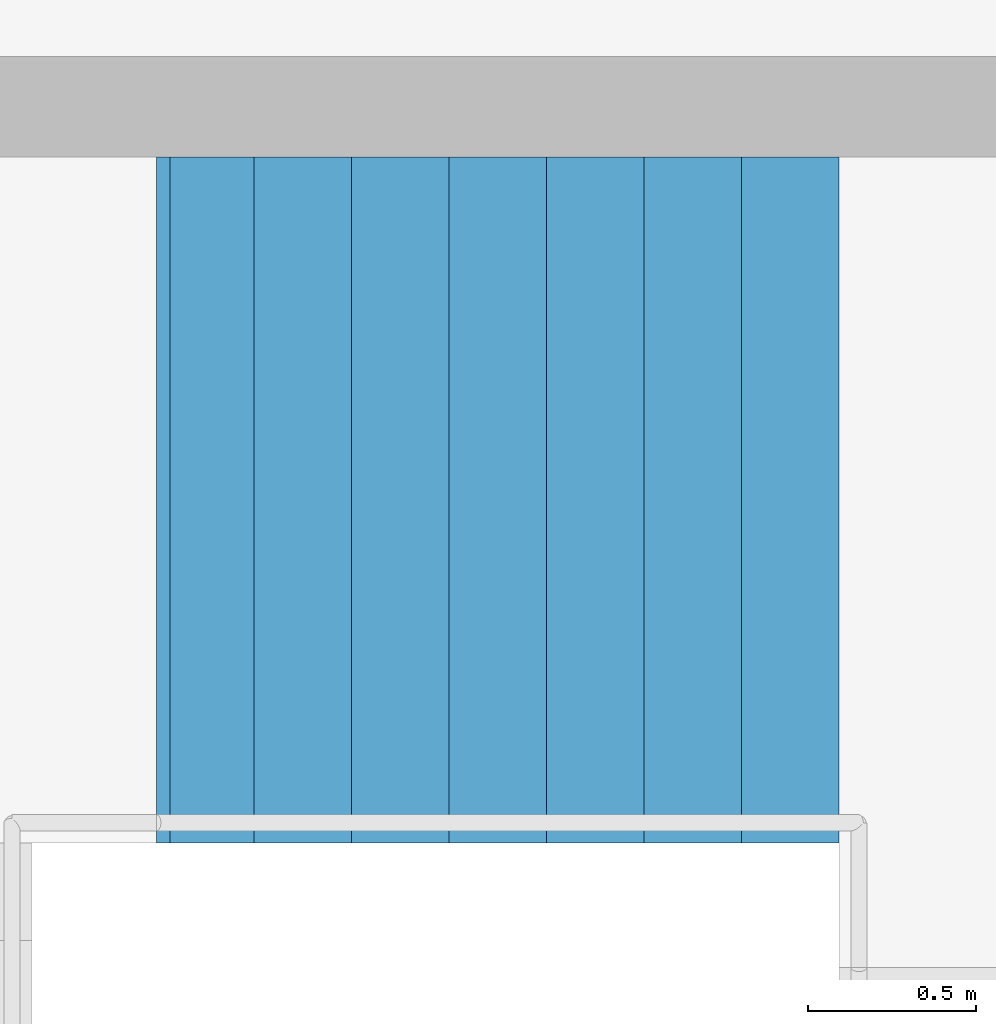
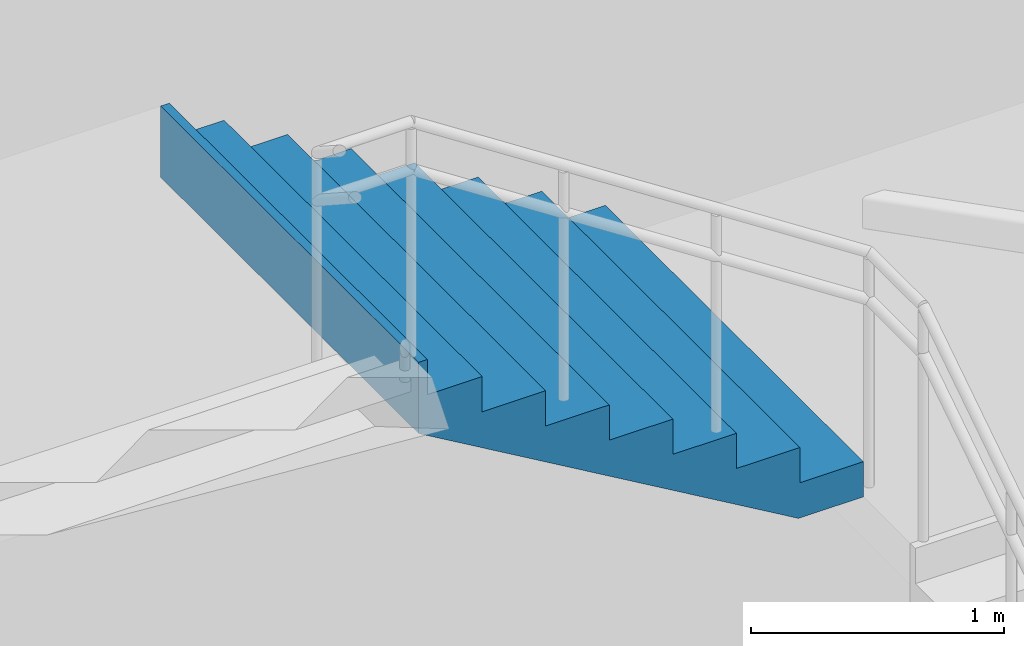
# One storey, part 69 of 74: 1 stair flight, 1 element without a shape of its own.
"""IFC4 building model written with IfcOpenShell, lengths in metres."""

from ifc_helpers import new_model, si_unit, direction, frame, origin, place, context, subcontext, project, spatial, triangles, material, type_object, element, aggregate, save


model = new_model("IFC4")

# Units and contexts
model_context = context("Model", 3, precision=1e-05, world=origin(), true_north=direction((0.0, 1.0)))
body_context = subcontext(model_context, "Body", "Model", "MODEL_VIEW")
ifc_project = project(units=[si_unit("LENGTHUNIT", "METRE"), si_unit("AREAUNIT", "SQUARE_METRE"), si_unit("VOLUMEUNIT", "CUBIC_METRE"), si_unit("PLANEANGLEUNIT", "RADIAN"), si_unit("MASSUNIT", "GRAM", prefix="KILO")], contexts=[model_context])

# Site, building, storey
site_placement = place(None, origin())
site = spatial("IfcSite", under=ifc_project, at=site_placement, CompositionType="ELEMENT")
building_placement = place(site_placement, origin())
building = spatial("IfcBuilding", under=site, at=building_placement, Name="Sillaruma Civic Art Gallery", CompositionType="ELEMENT")
storey_placement = place(building_placement, frame((0.0, 0.0, 5.43994140625)))
storey = spatial("IfcBuildingStorey", under=building, at=storey_placement, Name="L01", CompositionType="ELEMENT", Elevation=5.43994140625)

# Stair, stair flight
ifc_material = material(Name="Concrete H35 (35 MPa)", Category="concrete")
stair_type = type_object("IfcStairType", Name="STR-4F-32", PredefinedType="USERDEFINED", material=ifc_material)
stair_placement = place(storey_placement, origin())
stair = element("IfcStair", 1, at=stair_placement, inside=storey, type_object=stair_type, Name="Protected Exit Stair ST-05 (East Wing) (L01)", ObjectType="THREE_RETURN_STAIR", PredefinedType="USERDEFINED")
stair_flight_type = type_object("IfcStairFlightType", Name="SFL-STR-8", PredefinedType="STRAIGHT", material=ifc_material)
stair_flight_placement = place(storey_placement, frame((146.60009765625, 16.860107421875, 2.719970703125), z_axis=(0.0, 0.0, 1.0), x_axis=(-1.0, 0.0, 0.0)))
stair_flight = element("IfcStairFlight", 2, at=stair_flight_placement, type_object=stair_flight_type, Name="ST-05 flight 3", NumberOfRisers=8, NumberOfTreads=7, PredefinedType="STRAIGHT", RiserHeight=0.17, TreadLength=0.29, context=body_context, shape_type="Tessellation", body=[
    triangles([(0.0, -1.02001953125, 0.0), (0.29, -1.02001953125, 0.0), (0.296443, -1.02001953125, 0.0), (0.58, -1.02001953125, 0.166223), (0.87, -1.02001953125, 0.336223), (1.16, -1.02001953125, 0.506223), (1.45, -1.02001953125, 0.676223), (1.74, -1.02001953125, 0.846223), (1.990029, -1.02001953125, 0.992792), (2.030029, -1.02001953125, 1.01624), (2.030029, -1.02001953125, 1.36), (1.990029, -1.02001953125, 1.36), (1.990029, -1.02001953125, 1.19), (1.74, -1.02001953125, 1.19), (1.74, -1.02001953125, 1.02), (1.45, -1.02001953125, 1.02), (1.45, -1.02001953125, 0.85), (1.16, -1.02001953125, 0.85), (1.16, -1.02001953125, 0.68), (0.87, -1.02001953125, 0.68), (0.87, -1.02001953125, 0.51), (0.58, -1.02001953125, 0.51), (0.58, -1.02001953125, 0.34), (0.296443, -1.02001953125, 0.34), (0.29, -1.02001953125, 0.34), (0.29, -1.02001953125, 0.17), (0.0, -1.02001953125, 0.17), (0.0, -0.05, 0.0), (0.29, -0.05, 0.0), (0.296443, -0.05, 0.0), (0.58, -0.05, 0.166223), (0.87, -0.05, 0.336223), (1.16, -0.05, 0.506223), (1.45, -0.05, 0.676223), (1.74, -0.05, 0.846223), (1.990029, -0.05, 0.992792), (2.030029, -0.05, 1.01624), (2.030029, -0.05, 1.36), (1.990029, -0.05, 1.36), (1.990029, -0.05, 1.19), (1.74, -0.05, 1.19), (1.74, -0.05, 1.02), (1.45, -0.05, 1.02), (1.45, -0.05, 0.85), (1.16, -0.05, 0.85), (1.16, -0.05, 0.68), (0.87, -0.05, 0.68), (0.87, -0.05, 0.51), (0.58, -0.05, 0.51), (0.58, -0.05, 0.34), (0.296443, -0.05, 0.34), (0.29, -0.05, 0.34), (0.29, -0.05, 0.17), (0.0, -0.05, 0.17), (0.0, -0.0375, 0.0), (0.29, -0.0375, 0.0), (0.296443, -0.0375, 0.0), (0.58, -0.0375, 0.166223), (0.87, -0.0375, 0.336223), (1.16, -0.0375, 0.506223), (1.45, -0.0375, 0.676223), (1.74, -0.0375, 0.846223), (1.990029, -0.0375, 0.992792), (2.030029, -0.0375, 1.01624), (2.030029, -0.0375, 1.36), (1.990029, -0.0375, 1.36), (1.990029, -0.0375, 1.19), (1.74, -0.0375, 1.19), (1.74, -0.0375, 1.02), (1.45, -0.0375, 1.02), (1.45, -0.0375, 0.85), (1.16, -0.0375, 0.85), (1.16, -0.0375, 0.68), (0.87, -0.0375, 0.68), (0.87, -0.0375, 0.51), (0.58, -0.0375, 0.51), (0.58, -0.0375, 0.34), (0.296443, -0.0375, 0.34), (0.29, -0.0375, 0.34), (0.29, -0.0375, 0.17), (0.0, -0.0375, 0.17), (0.0, -0.025, 0.0), (0.29, -0.025, 0.0), (0.296443, -0.025, 0.0), (0.58, -0.025, 0.166223), (0.87, -0.025, 0.336223), (1.16, -0.025, 0.506223), (1.45, -0.025, 0.676223), (1.74, -0.025, 0.846223), (1.990029, -0.025, 0.992792), (2.030029, -0.025, 1.01624), (2.030029, -0.025, 1.36), (1.990029, -0.025, 1.36), (1.990029, -0.025, 1.19), (1.74, -0.025, 1.19), (1.74, -0.025, 1.02), (1.45, -0.025, 1.02), (1.45, -0.025, 0.85), (1.16, -0.025, 0.85), (1.16, -0.025, 0.68), (0.87, -0.025, 0.68), (0.87, -0.025, 0.51), (0.58, -0.025, 0.51), (0.58, -0.025, 0.34), (0.296443, -0.025, 0.34), (0.29, -0.025, 0.34), (0.29, -0.025, 0.17), (0.0, -0.025, 0.17), (0.0, -0.0125, 0.0), (0.29, -0.0125, 0.0), (0.296443, -0.0125, 0.0), (0.58, -0.0125, 0.166223), (0.87, -0.0125, 0.336223), (1.16, -0.0125, 0.506223), (1.45, -0.0125, 0.676223), (1.74, -0.0125, 0.846223), (1.990029, -0.0125, 0.992792), (2.030029, -0.0125, 1.01624), (2.030029, -0.0125, 1.36), (1.990029, -0.0125, 1.36), (1.990029, -0.0125, 1.19), (1.74, -0.0125, 1.19), (1.74, -0.0125, 1.02), (1.45, -0.0125, 1.02), (1.45, -0.0125, 0.85), (1.16, -0.0125, 0.85), (1.16, -0.0125, 0.68), (0.87, -0.0125, 0.68), (0.87, -0.0125, 0.51), (0.58, -0.0125, 0.51), (0.58, -0.0125, 0.34), (0.296443, -0.0125, 0.34), (0.29, -0.0125, 0.34), (0.29, -0.0125, 0.17), (0.0, -0.0125, 0.17), (0.0, 0.0, 0.0), (0.29, 0.0, 0.0), (0.296443, 0.0, 0.0), (0.58, 0.0, 0.166223), (0.87, 0.0, 0.336223), (1.16, 0.0, 0.506223), (1.45, 0.0, 0.676223), (1.74, 0.0, 0.846223), (1.990029, 0.0, 0.992792), (2.030029, 0.0, 1.01624), (2.030029, 0.0, 1.36), (1.990029, 0.0, 1.36), (1.990029, 0.0, 1.19), (1.74, 0.0, 1.19), (1.74, 0.0, 1.02), (1.45, 0.0, 1.02), (1.45, 0.0, 0.85), (1.16, 0.0, 0.85), (1.16, 0.0, 0.68), (0.87, 0.0, 0.68), (0.87, 0.0, 0.51), (0.58, 0.0, 0.51), (0.58, 0.0, 0.34), (0.296443, 0.0, 0.34), (0.29, 0.0, 0.34), (0.29, 0.0, 0.17), (0.0, 0.0, 0.17), (0.0, 0.0125, 0.0), (0.29, 0.0125, 0.0), (0.296443, 0.0125, 0.0), (0.58, 0.0125, 0.166223), (0.87, 0.0125, 0.336223), (1.16, 0.0125, 0.506223), (1.45, 0.0125, 0.676223), (1.74, 0.0125, 0.846223), (1.990029, 0.0125, 0.992792), (2.030029, 0.0125, 1.01624), (2.030029, 0.0125, 1.36), (1.990029, 0.0125, 1.36), (1.990029, 0.0125, 1.19), (1.74, 0.0125, 1.19), (1.74, 0.0125, 1.02), (1.45, 0.0125, 1.02), (1.45, 0.0125, 0.85), (1.16, 0.0125, 0.85), (1.16, 0.0125, 0.68), (0.87, 0.0125, 0.68), (0.87, 0.0125, 0.51), (0.58, 0.0125, 0.51), (0.58, 0.0125, 0.34), (0.296443, 0.0125, 0.34), (0.29, 0.0125, 0.34), (0.29, 0.0125, 0.17), (0.0, 0.0125, 0.17), (0.0, 0.025, 0.0), (0.29, 0.025, 0.0), (0.296443, 0.025, 0.0), (0.58, 0.025, 0.166223), (0.87, 0.025, 0.336223), (1.16, 0.025, 0.506223), (1.45, 0.025, 0.676223), (1.74, 0.025, 0.846223), (1.990029, 0.025, 0.992792), (2.030029, 0.025, 1.01624), (2.030029, 0.025, 1.36), (1.990029, 0.025, 1.36), (1.990029, 0.025, 1.19), (1.74, 0.025, 1.19), (1.74, 0.025, 1.02), (1.45, 0.025, 1.02), (1.45, 0.025, 0.85), (1.16, 0.025, 0.85), (1.16, 0.025, 0.68), (0.87, 0.025, 0.68), (0.87, 0.025, 0.51), (0.58, 0.025, 0.51), (0.58, 0.025, 0.34), (0.296443, 0.025, 0.34), (0.29, 0.025, 0.34), (0.29, 0.025, 0.17), (0.0, 0.025, 0.17), (0.0, 0.0375, 0.0), (0.29, 0.0375, 0.0), (0.296443, 0.0375, 0.0), (0.58, 0.0375, 0.166223), (0.87, 0.0375, 0.336223), (1.16, 0.0375, 0.506223), (1.45, 0.0375, 0.676223), (1.74, 0.0375, 0.846223), (1.990029, 0.0375, 0.992792), (2.030029, 0.0375, 1.01624), (2.030029, 0.0375, 1.36), (1.990029, 0.0375, 1.36), (1.990029, 0.0375, 1.19), (1.74, 0.0375, 1.19), (1.74, 0.0375, 1.02), (1.45, 0.0375, 1.02), (1.45, 0.0375, 0.85), (1.16, 0.0375, 0.85), (1.16, 0.0375, 0.68), (0.87, 0.0375, 0.68), (0.87, 0.0375, 0.51), (0.58, 0.0375, 0.51), (0.58, 0.0375, 0.34), (0.296443, 0.0375, 0.34), (0.29, 0.0375, 0.34), (0.29, 0.0375, 0.17), (0.0, 0.0375, 0.17), (0.0, 0.05, 0.0), (0.29, 0.05, 0.0), (0.296443, 0.05, 0.0), (0.58, 0.05, 0.166223), (0.87, 0.05, 0.336223), (1.16, 0.05, 0.506223), (1.45, 0.05, 0.676223), (1.74, 0.05, 0.846223), (1.990029, 0.05, 0.992792), (2.030029, 0.05, 1.01624), (2.030029, 0.05, 1.36), (1.990029, 0.05, 1.36), (1.990029, 0.05, 1.19), (1.74, 0.05, 1.19), (1.74, 0.05, 1.02), (1.45, 0.05, 1.02), (1.45, 0.05, 0.85), (1.16, 0.05, 0.85), (1.16, 0.05, 0.68), (0.87, 0.05, 0.68), (0.87, 0.05, 0.51), (0.58, 0.05, 0.51), (0.58, 0.05, 0.34), (0.296443, 0.05, 0.34), (0.29, 0.05, 0.34), (0.29, 0.05, 0.17), (0.0, 0.05, 0.17), (0.0, 1.02001953125, 0.0), (0.29, 1.02001953125, 0.0), (0.296443, 1.02001953125, 0.0), (0.58, 1.02001953125, 0.166223), (0.87, 1.02001953125, 0.336223), (1.16, 1.02001953125, 0.506223), (1.45, 1.02001953125, 0.676223), (1.74, 1.02001953125, 0.846223), (1.990029, 1.02001953125, 0.992792), (2.030029, 1.02001953125, 1.01624), (2.030029, 1.02001953125, 1.36), (1.990029, 1.02001953125, 1.36), (1.990029, 1.02001953125, 1.19), (1.74, 1.02001953125, 1.19), (1.74, 1.02001953125, 1.02), (1.45, 1.02001953125, 1.02), (1.45, 1.02001953125, 0.85), (1.16, 1.02001953125, 0.85), (1.16, 1.02001953125, 0.68), (0.87, 1.02001953125, 0.68), (0.87, 1.02001953125, 0.51), (0.58, 1.02001953125, 0.51), (0.58, 1.02001953125, 0.34), (0.296443, 1.02001953125, 0.34), (0.29, 1.02001953125, 0.34), (0.29, 1.02001953125, 0.17), (0.0, 1.02001953125, 0.17)], [[1, 2, 26], [1, 26, 27], [2, 3, 24], [2, 24, 26], [26, 24, 25], [3, 4, 23], [3, 23, 24], [4, 5, 21], [4, 21, 23], [23, 21, 22], [5, 6, 19], [5, 19, 21], [21, 19, 20], [6, 7, 17], [6, 17, 19], [19, 17, 18], [7, 8, 15], [7, 15, 17], [17, 15, 16], [8, 9, 13], [8, 13, 15], [15, 13, 14], [9, 10, 11], [9, 11, 13], [13, 11, 12], [296, 272, 271], [297, 296, 271], [294, 273, 272], [296, 294, 272], [295, 294, 296], [293, 274, 273], [294, 293, 273], [291, 275, 274], [293, 291, 274], [292, 291, 293], [289, 276, 275], [291, 289, 275], [290, 289, 291], [287, 277, 276], [289, 287, 276], [288, 287, 289], [285, 278, 277], [287, 285, 277], [286, 285, 287], [283, 279, 278], [285, 283, 278], [284, 283, 285], [281, 280, 279], [283, 281, 279], [282, 281, 283], [2, 1, 28], [2, 28, 29], [3, 2, 29], [3, 29, 30], [4, 3, 30], [4, 30, 31], [5, 4, 31], [5, 31, 32], [6, 5, 32], [6, 32, 33], [7, 6, 33], [7, 33, 34], [8, 7, 34], [8, 34, 35], [9, 8, 35], [9, 35, 36], [10, 9, 36], [10, 36, 37], [11, 10, 37], [11, 37, 38], [12, 11, 38], [12, 38, 39], [13, 12, 39], [13, 39, 40], [14, 13, 40], [14, 40, 41], [15, 14, 41], [15, 41, 42], [16, 15, 42], [16, 42, 43], [17, 16, 43], [17, 43, 44], [18, 17, 44], [18, 44, 45], [19, 18, 45], [19, 45, 46], [20, 19, 46], [20, 46, 47], [21, 20, 47], [21, 47, 48], [22, 21, 48], [22, 48, 49], [23, 22, 49], [23, 49, 50], [24, 23, 50], [24, 50, 51], [25, 24, 51], [25, 51, 52], [26, 25, 52], [26, 52, 53], [27, 26, 53], [27, 53, 54], [1, 27, 54], [1, 54, 28], [29, 28, 55], [29, 55, 56], [30, 29, 56], [30, 56, 57], [31, 30, 57], [31, 57, 58], [32, 31, 58], [32, 58, 59], [33, 32, 59], [33, 59, 60], [34, 33, 60], [34, 60, 61], [35, 34, 61], [35, 61, 62], [36, 35, 62], [36, 62, 63], [37, 36, 63], [37, 63, 64], [38, 37, 64], [38, 64, 65], [39, 38, 65], [39, 65, 66], [40, 39, 66], [40, 66, 67], [41, 40, 67], [41, 67, 68], [42, 41, 68], [42, 68, 69], [43, 42, 69], [43, 69, 70], [44, 43, 70], [44, 70, 71], [45, 44, 71], [45, 71, 72], [46, 45, 72], [46, 72, 73], [47, 46, 73], [47, 73, 74], [48, 47, 74], [48, 74, 75], [49, 48, 75], [49, 75, 76], [50, 49, 76], [50, 76, 77], [51, 50, 77], [51, 77, 78], [52, 51, 78], [52, 78, 79], [53, 52, 79], [53, 79, 80], [54, 53, 80], [54, 80, 81], [28, 54, 81], [28, 81, 55], [56, 55, 82], [56, 82, 83], [57, 56, 83], [57, 83, 84], [58, 57, 84], [58, 84, 85], [59, 58, 85], [59, 85, 86], [60, 59, 86], [60, 86, 87], [61, 60, 87], [61, 87, 88], [62, 61, 88], [62, 88, 89], [63, 62, 89], [63, 89, 90], [64, 63, 90], [64, 90, 91], [65, 64, 91], [65, 91, 92], [66, 65, 92], [66, 92, 93], [67, 66, 93], [67, 93, 94], [68, 67, 94], [68, 94, 95], [69, 68, 95], [69, 95, 96], [70, 69, 96], [70, 96, 97], [71, 70, 97], [71, 97, 98], [72, 71, 98], [72, 98, 99], [73, 72, 99], [73, 99, 100], [74, 73, 100], [74, 100, 101], [75, 74, 101], [75, 101, 102], [76, 75, 102], [76, 102, 103], [77, 76, 103], [77, 103, 104], [78, 77, 104], [78, 104, 105], [79, 78, 105], [79, 105, 106], [80, 79, 106], [80, 106, 107], [81, 80, 107], [81, 107, 108], [55, 81, 108], [55, 108, 82], [83, 82, 109], [83, 109, 110], [84, 83, 110], [84, 110, 111], [85, 84, 111], [85, 111, 112], [86, 85, 112], [86, 112, 113], [87, 86, 113], [87, 113, 114], [88, 87, 114], [88, 114, 115], [89, 88, 115], [89, 115, 116], [90, 89, 116], [90, 116, 117], [91, 90, 117], [91, 117, 118], [92, 91, 118], [92, 118, 119], [93, 92, 119], [93, 119, 120], [94, 93, 120], [94, 120, 121], [95, 94, 121], [95, 121, 122], [96, 95, 122], [96, 122, 123], [97, 96, 123], [97, 123, 124], [98, 97, 124], [98, 124, 125], [99, 98, 125], [99, 125, 126], [100, 99, 126], [100, 126, 127], [101, 100, 127], [101, 127, 128], [102, 101, 128], [102, 128, 129], [103, 102, 129], [103, 129, 130], [104, 103, 130], [104, 130, 131], [105, 104, 131], [105, 131, 132], [106, 105, 132], [106, 132, 133], [107, 106, 133], [107, 133, 134], [108, 107, 134], [108, 134, 135], [82, 108, 135], [82, 135, 109], [110, 109, 136], [110, 136, 137], [111, 110, 137], [111, 137, 138], [112, 111, 138], [112, 138, 139], [113, 112, 139], [113, 139, 140], [114, 113, 140], [114, 140, 141], [115, 114, 141], [115, 141, 142], [116, 115, 142], [116, 142, 143], [117, 116, 143], [117, 143, 144], [118, 117, 144], [118, 144, 145], [119, 118, 145], [119, 145, 146], [120, 119, 146], [120, 146, 147], [121, 120, 147], [121, 147, 148], [122, 121, 148], [122, 148, 149], [123, 122, 149], [123, 149, 150], [124, 123, 150], [124, 150, 151], [125, 124, 151], [125, 151, 152], [126, 125, 152], [126, 152, 153], [127, 126, 153], [127, 153, 154], [128, 127, 154], [128, 154, 155], [129, 128, 155], [129, 155, 156], [130, 129, 156], [130, 156, 157], [131, 130, 157], [131, 157, 158], [132, 131, 158], [132, 158, 159], [133, 132, 159], [133, 159, 160], [134, 133, 160], [134, 160, 161], [135, 134, 161], [135, 161, 162], [109, 135, 162], [109, 162, 136], [137, 136, 163], [137, 163, 164], [138, 137, 164], [138, 164, 165], [139, 138, 165], [139, 165, 166], [140, 139, 166], [140, 166, 167], [141, 140, 167], [141, 167, 168], [142, 141, 168], [142, 168, 169], [143, 142, 169], [143, 169, 170], [144, 143, 170], [144, 170, 171], [145, 144, 171], [145, 171, 172], [146, 145, 172], [146, 172, 173], [147, 146, 173], [147, 173, 174], [148, 147, 174], [148, 174, 175], [149, 148, 175], [149, 175, 176], [150, 149, 176], [150, 176, 177], [151, 150, 177], [151, 177, 178], [152, 151, 178], [152, 178, 179], [153, 152, 179], [153, 179, 180], [154, 153, 180], [154, 180, 181], [155, 154, 181], [155, 181, 182], [156, 155, 182], [156, 182, 183], [157, 156, 183], [157, 183, 184], [158, 157, 184], [158, 184, 185], [159, 158, 185], [159, 185, 186], [160, 159, 186], [160, 186, 187], [161, 160, 187], [161, 187, 188], [162, 161, 188], [162, 188, 189], [136, 162, 189], [136, 189, 163], [164, 163, 190], [164, 190, 191], [165, 164, 191], [165, 191, 192], [166, 165, 192], [166, 192, 193], [167, 166, 193], [167, 193, 194], [168, 167, 194], [168, 194, 195], [169, 168, 195], [169, 195, 196], [170, 169, 196], [170, 196, 197], [171, 170, 197], [171, 197, 198], [172, 171, 198], [172, 198, 199], [173, 172, 199], [173, 199, 200], [174, 173, 200], [174, 200, 201], [175, 174, 201], [175, 201, 202], [176, 175, 202], [176, 202, 203], [177, 176, 203], [177, 203, 204], [178, 177, 204], [178, 204, 205], [179, 178, 205], [179, 205, 206], [180, 179, 206], [180, 206, 207], [181, 180, 207], [181, 207, 208], [182, 181, 208], [182, 208, 209], [183, 182, 209], [183, 209, 210], [184, 183, 210], [184, 210, 211], [185, 184, 211], [185, 211, 212], [186, 185, 212], [186, 212, 213], [187, 186, 213], [187, 213, 214], [188, 187, 214], [188, 214, 215], [189, 188, 215], [189, 215, 216], [163, 189, 216], [163, 216, 190], [191, 190, 217], [191, 217, 218], [192, 191, 218], [192, 218, 219], [193, 192, 219], [193, 219, 220], [194, 193, 220], [194, 220, 221], [195, 194, 221], [195, 221, 222], [196, 195, 222], [196, 222, 223], [197, 196, 223], [197, 223, 224], [198, 197, 224], [198, 224, 225], [199, 198, 225], [199, 225, 226], [200, 199, 226], [200, 226, 227], [201, 200, 227], [201, 227, 228], [202, 201, 228], [202, 228, 229], [203, 202, 229], [203, 229, 230], [204, 203, 230], [204, 230, 231], [205, 204, 231], [205, 231, 232], [206, 205, 232], [206, 232, 233], [207, 206, 233], [207, 233, 234], [208, 207, 234], [208, 234, 235], [209, 208, 235], [209, 235, 236], [210, 209, 236], [210, 236, 237], [211, 210, 237], [211, 237, 238], [212, 211, 238], [212, 238, 239], [213, 212, 239], [213, 239, 240], [214, 213, 240], [214, 240, 241], [215, 214, 241], [215, 241, 242], [216, 215, 242], [216, 242, 243], [190, 216, 243], [190, 243, 217], [218, 217, 244], [218, 244, 245], [219, 218, 245], [219, 245, 246], [220, 219, 246], [220, 246, 247], [221, 220, 247], [221, 247, 248], [222, 221, 248], [222, 248, 249], [223, 222, 249], [223, 249, 250], [224, 223, 250], [224, 250, 251], [225, 224, 251], [225, 251, 252], [226, 225, 252], [226, 252, 253], [227, 226, 253], [227, 253, 254], [228, 227, 254], [228, 254, 255], [229, 228, 255], [229, 255, 256], [230, 229, 256], [230, 256, 257], [231, 230, 257], [231, 257, 258], [232, 231, 258], [232, 258, 259], [233, 232, 259], [233, 259, 260], [234, 233, 260], [234, 260, 261], [235, 234, 261], [235, 261, 262], [236, 235, 262], [236, 262, 263], [237, 236, 263], [237, 263, 264], [238, 237, 264], [238, 264, 265], [239, 238, 265], [239, 265, 266], [240, 239, 266], [240, 266, 267], [241, 240, 267], [241, 267, 268], [242, 241, 268], [242, 268, 269], [243, 242, 269], [243, 269, 270], [217, 243, 270], [217, 270, 244], [245, 244, 271], [245, 271, 272], [246, 245, 272], [246, 272, 273], [247, 246, 273], [247, 273, 274], [248, 247, 274], [248, 274, 275], [249, 248, 275], [249, 275, 276], [250, 249, 276], [250, 276, 277], [251, 250, 277], [251, 277, 278], [252, 251, 278], [252, 278, 279], [253, 252, 279], [253, 279, 280], [254, 253, 280], [254, 280, 281], [255, 254, 281], [255, 281, 282], [256, 255, 282], [256, 282, 283], [257, 256, 283], [257, 283, 284], [258, 257, 284], [258, 284, 285], [259, 258, 285], [259, 285, 286], [260, 259, 286], [260, 286, 287], [261, 260, 287], [261, 287, 288], [262, 261, 288], [262, 288, 289], [263, 262, 289], [263, 289, 290], [264, 263, 290], [264, 290, 291], [265, 264, 291], [265, 291, 292], [266, 265, 292], [266, 292, 293], [267, 266, 293], [267, 293, 294], [268, 267, 294], [268, 294, 295], [269, 268, 295], [269, 295, 296], [270, 269, 296], [270, 296, 297], [244, 270, 297], [244, 297, 271]], closed=True),
])
aggregate(stair, [stair_flight])

save(model, "model.ifc")
